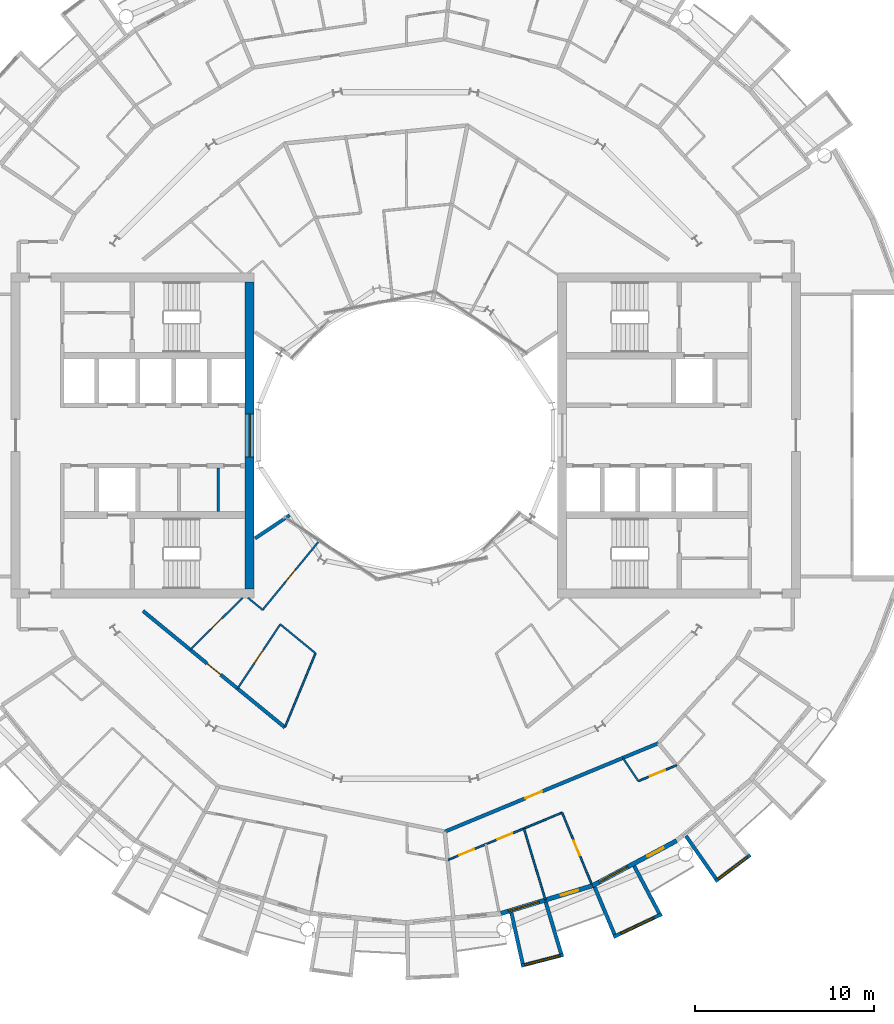
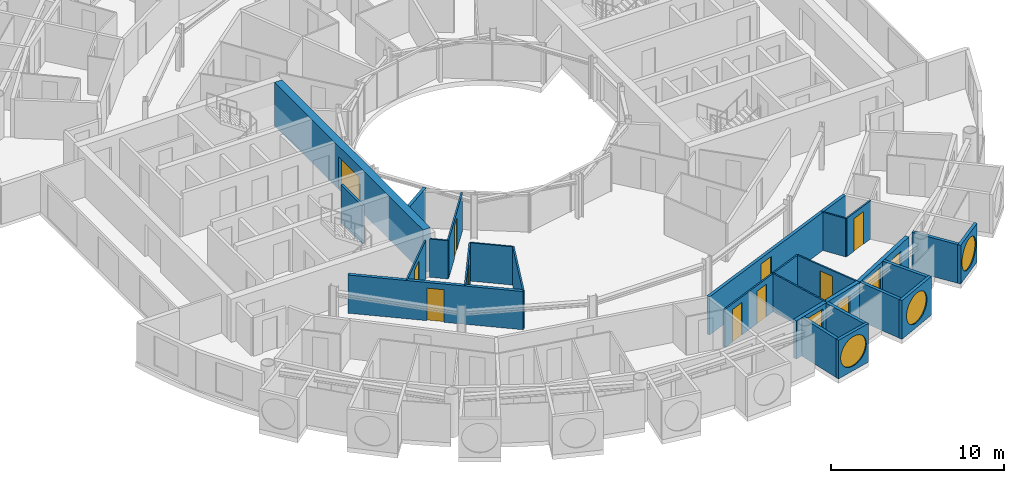
# One storey, part 16 of 27: 26 walls, 11 doors, 6 windows, 17 openings.
"""IFC4 building model written with IfcOpenShell, lengths in metres."""

from ifc_helpers import new_model, si_unit, direction, frame, frame_2d, origin, place, context, subcontext, project, spatial, rectangle, circle, extrude, material, layer, layer_set, type_object, element, fill, save


model = new_model("IFC4")

# Units and contexts
model_context = context("Model", 3, precision=1e-05, world=origin(), true_north=direction((0.0, 1.0)))
body_context = subcontext(model_context, "Body", "Model", "MODEL_VIEW")
ifc_project = project(units=[si_unit("LENGTHUNIT", "METRE"), si_unit("AREAUNIT", "SQUARE_METRE"), si_unit("VOLUMEUNIT", "CUBIC_METRE"), si_unit("PLANEANGLEUNIT", "RADIAN"), si_unit("MASSUNIT", "GRAM", prefix="KILO")], contexts=[model_context])

# Site, building, storey
site_placement = place(None, origin())
site = spatial("IfcSite", under=ifc_project, at=site_placement, CompositionType="ELEMENT")
building_placement = place(site_placement, origin())
building = spatial("IfcBuilding", under=site, at=building_placement, Name="Maasbend Ring Residences", CompositionType="ELEMENT")
storey_placement = place(building_placement, frame((0.0, 0.0, 145.199951171875)))
storey = spatial("IfcBuildingStorey", under=building, at=storey_placement, Name="L41", CompositionType="ELEMENT", Elevation=145.199951171875)

# Wall, opening, window
ifc_material_1 = material(Name="Concrete C60/75", Category="concrete")
ifc_layer_1 = layer(ifc_material_1, 0.5)
ifc_layer_set_1 = layer_set([ifc_layer_1], Name="Concrete C60/75")
wall_type_1 = type_object("IfcWallType", Name="CORE WALL 500 C60/75", PredefinedType="SHEAR", material=ifc_layer_set_1)
wall_1_placement = place(storey_placement, frame((-8.75, 8.60009765625, 0.0), z_axis=(0.0, 0.0, 1.0), x_axis=(0.0, -1.0, 0.0)))
wall_1 = element("IfcWall", 1, at=wall_1_placement, inside=storey, type_object=wall_type_1, Name="L41 core W wall PIN", PredefinedType="SHEAR", context=body_context, shape_type="SweptSolid", body=[
    extrude(rectangle(XDim=17.2001953125, YDim=0.5, at=frame_2d((8.60009765625, 0.0))), origin(), (0.0, 0.0, 1.0), 3.050048828125),
])
opening_1_placement = place(wall_1_placement, frame((7.39990234375, 0.0, 0.10009765625)))
opening_1 = element("IfcOpeningElement", 2, at=opening_1_placement, cuts=wall_1, Name="Opening W-W4101", PredefinedType="OPENING", context=body_context, shape_type="SweptSolid", body=[
    extrude(rectangle(XDim=2.39990234375, YDim=2.199951171875, at=frame_2d((1.199951171875, 1.10009765625))), frame((0.0, 0.260009765625, 0.0), z_axis=(0.0, -1.0, 0.0), x_axis=(1.0, 0.0, 0.0)), (0.0, 0.0, 1.0), 0.52001953125),
])
ifc_material_2 = material(Name="Aluminium frame and clear glass", Category="aluminium")
window_type_1 = type_object("IfcWindowType", Name="FIXED WINDOW 2400 X 2200", PartitioningType="SINGLE_PANEL", PredefinedType="WINDOW", material=ifc_material_2)
window_1_placement = place(opening_1_placement, origin())
window_1 = element("IfcWindow", 3, at=window_1_placement, inside=storey, type_object=window_type_1, Name="Lobby window L41", OverallHeight=2.199951171875, OverallWidth=2.39990234375, PartitioningType="SINGLE_PANEL", PredefinedType="WINDOW", context=body_context, shape_type="SweptSolid", body=[
    extrude(rectangle(XDim=2.39990234375, YDim=2.199951171875, at=frame_2d((1.199951171875, 1.10009765625))), frame((0.0, 0.030029296875, 0.0), z_axis=(0.0, -1.0, 0.0), x_axis=(1.0, 0.0, 0.0)), (0.0, 0.0, 1.0), 0.06005859375),
])
fill(opening_1, window_1)

# Wall, opening, door
ifc_material_3 = material(Name="Concrete C30/37", Category="concrete")
ifc_layer_2 = layer(ifc_material_3, 0.199951171875)
ifc_layer_set_2 = layer_set([ifc_layer_2], Name="Concrete C30/37")
wall_type_2 = type_object("IfcWallType", Name="CORRIDOR WALL 200 CONCRETE", PredefinedType="PARTITIONING", material=ifc_layer_set_2)
wall_2_placement = place(storey_placement, frame((2.18603515625, -22.193115234375, 0.0), z_axis=(0.0, 0.0, 1.0), x_axis=(0.923860535822, 0.382729291212, 0.0)))
wall_2 = element("IfcWall", 4, at=wall_2_placement, inside=storey, type_object=wall_type_2, Name="U-L41-w016", PredefinedType="PARTITIONING", context=body_context, shape_type="SweptSolid", body=[
    extrude(rectangle(XDim=12.94677734375, YDim=0.199951171875, at=frame_2d((6.473388671875, 0.0))), origin(), (0.0, 0.0, 1.0), 2.699951171875),
])
opening_2_placement = place(wall_2_placement, frame((4.89404296875, 0.0, 0.0)))
opening_2 = element("IfcOpeningElement", 5, at=opening_2_placement, cuts=wall_2, Name="Opening D-4143", PredefinedType="OPENING", context=body_context, shape_type="SweptSolid", body=[
    extrude(rectangle(XDim=1.0, YDim=2.300048828125, at=frame_2d((0.5, 1.14990234375))), frame((0.0, 0.10986328125, 0.0), z_axis=(0.0, -1.0, 0.0), x_axis=(1.0, 0.0, 0.0)), (0.0, 0.0, 1.0), 0.219970703125),
])
ifc_material_4 = material(Name="Timber, fire-rated, painted", Category="wood")
door_type_1 = type_object("IfcDoorType", Name="FLAT ENTRANCE DOOR 1000 X 2300 FIRE-RATED", OperationType="NOTDEFINED", PredefinedType="DOOR", material=ifc_material_4)
door_1_placement = place(opening_2_placement, origin())
door_1 = element("IfcDoor", 6, at=door_1_placement, inside=storey, type_object=door_type_1, Name="D-4143", OperationType="SINGLE_SWING_LEFT", OverallHeight=2.300048828125, OverallWidth=1.0, PredefinedType="DOOR", context=body_context, shape_type="SweptSolid", body=[
    extrude(rectangle(XDim=1.0, YDim=2.300048828125, at=frame_2d((0.5, 1.14990234375))), frame((0.0, 0.02490234375, 0.0), z_axis=(0.0, -1.0, 0.0), x_axis=(1.0, 0.0, 0.0)), (0.0, 0.0, 1.0), 0.050048828125),
])
fill(opening_2, door_1)

wall_3_placement = place(storey_placement, frame((-14.717041015625, -9.833984375, 0.0), z_axis=(0.0, 0.0, 1.0), x_axis=(0.773034536097, -0.634363938131, 0.0)))
wall_3 = element("IfcWall", 7, at=wall_3_placement, inside=storey, type_object=wall_type_2, Name="U-L41-w017", PredefinedType="PARTITIONING", context=body_context, shape_type="SweptSolid", body=[
    extrude(rectangle(XDim=10.276611328125, YDim=0.199951171875, at=frame_2d((5.13818359375, 0.0))), origin(), (0.0, 0.0, 1.0), 2.699951171875),
])
opening_3_placement = place(wall_3_placement, frame((4.637939453125, 0.0, 0.0)))
opening_3 = element("IfcOpeningElement", 8, at=opening_3_placement, cuts=wall_3, Name="Opening D-4151", PredefinedType="OPENING", context=body_context, shape_type="SweptSolid", body=[
    extrude(rectangle(XDim=1.0, YDim=2.300048828125, at=frame_2d((0.5, 1.14990234375))), frame((0.0, 0.10986328125, 0.0), z_axis=(0.0, -1.0, 0.0), x_axis=(1.0, 0.0, 0.0)), (0.0, 0.0, 1.0), 0.219970703125),
])
door_2_placement = place(opening_3_placement, origin())
door_2 = element("IfcDoor", 9, at=door_2_placement, inside=storey, type_object=door_type_1, Name="D-4151", OperationType="SINGLE_SWING_LEFT", OverallHeight=2.300048828125, OverallWidth=1.0, PredefinedType="DOOR", context=body_context, shape_type="SweptSolid", body=[
    extrude(rectangle(XDim=1.0, YDim=2.300048828125, at=frame_2d((0.5, 1.14990234375))), frame((0.0, 0.02490234375, 0.0), z_axis=(0.0, -1.0, 0.0), x_axis=(1.0, 0.0, 0.0)), (0.0, 0.0, 1.0), 0.050048828125),
])
fill(opening_3, door_2)

# Wall, opening, window
ifc_material_5 = material(Name="Pale anodised aluminium panel", Category="aluminium")
ifc_layer_3 = layer(ifc_material_5, 0.199951171875)
ifc_layer_set_3 = layer_set([ifc_layer_3], Name="EW-BOX")
wall_type_3 = type_object("IfcWallType", Name="EW-BOX", PredefinedType="SOLIDWALL", material=ifc_layer_set_3)
wall_4_placement = place(storey_placement, frame((6.4609375, -29.705078125, -0.030029296875), z_axis=(0.0, 0.0, 1.0), x_axis=(0.96789536872, 0.251353446784, 0.0)))
wall_4 = element("IfcWall", 10, at=wall_4_placement, inside=storey, type_object=wall_type_3, Name="Box front S13", PredefinedType="SOLIDWALL", context=body_context, shape_type="SweptSolid", body=[
    extrude(rectangle(XDim=2.44677734375, YDim=0.199951171875, at=frame_2d((1.223388671875, 0.0))), origin(), (0.0, 0.0, 1.0), 2.72998046875),
])
opening_4_placement = place(wall_4_placement, frame((0.182861328125, 0.0, 0.330078125)))
opening_4 = element("IfcOpeningElement", 11, at=opening_4_placement, cuts=wall_4, Name="Opening W-RD", PredefinedType="OPENING", context=body_context, shape_type="SweptSolid", body=[
    extrude(circle(Radius=1.0400390625, at=frame_2d((1.0400390625, 1.0400390625))), frame((0.0, 0.10986328125, 0.0), z_axis=(0.0, -1.0, 0.0), x_axis=(1.0, 0.0, 0.0)), (0.0, 0.0, 1.0), 0.219970703125),
])
ifc_material_6 = material(Name="Aluminium and clear glass", Category="aluminium")
window_type_2 = type_object("IfcWindowType", Name="W-RD", PartitioningType="SINGLE_PANEL", PredefinedType="WINDOW", material=ifc_material_6)
window_2_placement = place(opening_4_placement, origin())
window_2 = element("IfcWindow", 12, at=window_2_placement, inside=storey, type_object=window_type_2, Name="Round window S13", OverallHeight=2.080078125, OverallWidth=2.080078125, PartitioningType="SINGLE_PANEL", PredefinedType="WINDOW", context=body_context, shape_type="SweptSolid", body=[
    extrude(circle(Radius=1.0400390625, at=frame_2d((1.0400390625, 1.0400390625))), frame((0.0, 0.030029296875, 0.0), z_axis=(0.0, -1.0, 0.0), x_axis=(1.0, 0.0, 0.0)), (0.0, 0.0, 1.0), 0.06005859375),
])
fill(opening_4, window_2)

# Walls
wall_5_placement = place(storey_placement, frame((5.908935546875, -26.72900390625, -0.030029296875), z_axis=(0.0, 0.0, 1.0), x_axis=(0.216409053917, -0.976302781612, 0.0)))
element("IfcWall", 13, at=wall_5_placement, inside=storey, type_object=wall_type_3, Name="Box side wall S13 left", PredefinedType="SOLIDWALL", context=body_context, shape_type="SweptSolid", body=[
    extrude(rectangle(XDim=2.92529296875, YDim=0.199951171875, at=frame_2d((1.462646484375, 0.0))), origin(), (0.0, 0.0, 1.0), 2.72998046875),
])
wall_6_placement = place(storey_placement, frame((7.8369140625, -26.14404296875, -0.030029296875), z_axis=(0.0, 0.0, 1.0), x_axis=(0.287064767992, -0.957911174889, 0.0)))
element("IfcWall", 14, at=wall_6_placement, inside=storey, type_object=wall_type_3, Name="Box side wall S13 right", PredefinedType="SOLIDWALL", context=body_context, shape_type="SweptSolid", body=[
    extrude(rectangle(XDim=3.00634765625, YDim=0.199951171875, at=frame_2d((1.503173828125, 0.0))), origin(), (0.0, 0.0, 1.0), 2.72998046875),
])

# Wall, opening, window
wall_7_placement = place(storey_placement, frame((11.62890625, -28.087890625, -0.030029296875), z_axis=(0.0, 0.0, 1.0), x_axis=(0.904000060331, 0.427532327342, 0.0)))
wall_7 = element("IfcWall", 15, at=wall_7_placement, inside=storey, type_object=wall_type_3, Name="Box front S15", PredefinedType="SOLIDWALL", context=body_context, shape_type="SweptSolid", body=[
    extrude(rectangle(XDim=2.993408203125, YDim=0.199951171875, at=frame_2d((1.49658203125, 0.0))), origin(), (0.0, 0.0, 1.0), 2.72998046875),
])
opening_5_placement = place(wall_7_placement, frame((0.45654296875, 0.0, 0.330078125)))
opening_5 = element("IfcOpeningElement", 16, at=opening_5_placement, cuts=wall_7, Name="Opening W-RD", PredefinedType="OPENING", context=body_context, shape_type="SweptSolid", body=[
    extrude(circle(Radius=1.0400390625, at=frame_2d((1.0400390625, 1.0400390625))), frame((0.0, 0.10986328125, 0.0), z_axis=(0.0, -1.0, 0.0), x_axis=(1.0, 0.0, 0.0)), (0.0, 0.0, 1.0), 0.219970703125),
])
window_3_placement = place(opening_5_placement, origin())
window_3 = element("IfcWindow", 17, at=window_3_placement, inside=storey, type_object=window_type_2, Name="Round window S15", OverallHeight=2.080078125, OverallWidth=2.080078125, PartitioningType="SINGLE_PANEL", PredefinedType="WINDOW", context=body_context, shape_type="SweptSolid", body=[
    extrude(circle(Radius=1.0400390625, at=frame_2d((1.0400390625, 1.0400390625))), frame((0.0, 0.030029296875, 0.0), z_axis=(0.0, -1.0, 0.0), x_axis=(1.0, 0.0, 0.0)), (0.0, 0.0, 1.0), 0.06005859375),
])
fill(opening_5, window_3)

# Walls
wall_8_placement = place(storey_placement, frame((10.574951171875, -25.294921875, -0.030029296875), z_axis=(0.0, 0.0, 1.0), x_axis=(0.385697364644, -0.922625353492, 0.0)))
element("IfcWall", 18, at=wall_8_placement, inside=storey, type_object=wall_type_3, Name="Box side wall S15 left", PredefinedType="SOLIDWALL", context=body_context, shape_type="SweptSolid", body=[
    extrude(rectangle(XDim=2.88330078125, YDim=0.199951171875, at=frame_2d((1.441650390625, 0.0))), origin(), (0.0, 0.0, 1.0), 2.72998046875),
])
wall_9_placement = place(storey_placement, frame((12.787109375, -24.113037109375, -0.030029296875), z_axis=(0.0, 0.0, 1.0), x_axis=(0.468365282436, -0.883534924159, 0.0)))
element("IfcWall", 19, at=wall_9_placement, inside=storey, type_object=wall_type_3, Name="Box side wall S15 right", PredefinedType="SOLIDWALL", context=body_context, shape_type="SweptSolid", body=[
    extrude(rectangle(XDim=3.006103515625, YDim=0.199951171875, at=frame_2d((1.5029296875, 0.0))), origin(), (0.0, 0.0, 1.0), 2.72998046875),
])

# Wall, opening, window
wall_10_placement = place(storey_placement, frame((17.3369140625, -24.971923828125, -0.030029296875), z_axis=(0.0, 0.0, 1.0), x_axis=(0.797887588059, 0.602806268067, 0.0)))
wall_10 = element("IfcWall", 20, at=wall_10_placement, inside=storey, type_object=wall_type_3, Name="Box front S17", PredefinedType="SOLIDWALL", context=body_context, shape_type="SweptSolid", body=[
    extrude(rectangle(XDim=2.446533203125, YDim=0.199951171875, at=frame_2d((1.22314453125, 0.0))), origin(), (0.0, 0.0, 1.0), 2.72998046875),
])
opening_6_placement = place(wall_10_placement, frame((0.182861328125, 0.0, 0.330078125)))
opening_6 = element("IfcOpeningElement", 21, at=opening_6_placement, cuts=wall_10, Name="Opening W-RD", PredefinedType="OPENING", context=body_context, shape_type="SweptSolid", body=[
    extrude(circle(Radius=1.0400390625, at=frame_2d((1.0400390625, 1.0400390625))), frame((0.0, 0.10986328125, 0.0), z_axis=(0.0, -1.0, 0.0), x_axis=(1.0, 0.0, 0.0)), (0.0, 0.0, 1.0), 0.219970703125),
])
window_4_placement = place(opening_6_placement, origin())
window_4 = element("IfcWindow", 22, at=window_4_placement, inside=storey, type_object=window_type_2, Name="Round window S17", OverallHeight=2.080078125, OverallWidth=2.080078125, PartitioningType="SINGLE_PANEL", PredefinedType="WINDOW", context=body_context, shape_type="SweptSolid", body=[
    extrude(circle(Radius=1.0400390625, at=frame_2d((1.0400390625, 1.0400390625))), frame((0.0, 0.030029296875, 0.0), z_axis=(0.0, -1.0, 0.0), x_axis=(1.0, 0.0, 0.0)), (0.0, 0.0, 1.0), 0.06005859375),
])
fill(opening_6, window_4)

# Wall
wall_11_placement = place(storey_placement, frame((15.68798828125, -22.43310546875, -0.030029296875), z_axis=(0.0, 0.0, 1.0), x_axis=(0.573260687834, -0.819373043115, 0.0)))
element("IfcWall", 23, at=wall_11_placement, inside=storey, type_object=wall_type_3, Name="Box side wall S17 left", PredefinedType="SOLIDWALL", context=body_context, shape_type="SweptSolid", body=[
    extrude(rectangle(XDim=2.92529296875, YDim=0.199951171875, at=frame_2d((1.462646484375, 0.0))), origin(), (0.0, 0.0, 1.0), 2.72998046875),
])

# Wall, openings, door, window
ifc_material_7 = material(Name="Aluminium clad insulated panel", Category="aluminium")
ifc_layer_4 = layer(ifc_material_7, 0.25)
ifc_layer_set_4 = layer_set([ifc_layer_4], Name="EW-GL")
wall_type_4 = type_object("IfcWallType", Name="EW-GL", PredefinedType="SOLIDWALL", material=ifc_layer_set_4)
wall_12_placement = place(storey_placement, frame((5.325927734375, -26.77490234375, 0.0), z_axis=(0.0, 0.0, 1.0), x_axis=(0.956965678721, 0.290201119486, 0.0)))
wall_12 = element("IfcWall", 24, at=wall_12_placement, inside=storey, type_object=wall_type_4, Name="External wall S07", PredefinedType="SOLIDWALL", context=body_context, shape_type="SweptSolid", body=[
    extrude(rectangle(XDim=5.351318359375, YDim=0.25, at=frame_2d((2.67578125, 0.0))), origin(), (0.0, 0.0, 1.0), 2.699951171875),
])
opening_7_placement = place(wall_12_placement, frame((0.441162109375, 0.0, 0.300048828125)))
opening_7 = element("IfcOpeningElement", 25, at=opening_7_placement, cuts=wall_12, Name="Opening W-BX", PredefinedType="OPENING", context=body_context, shape_type="SweptSolid", body=[
    extrude(rectangle(XDim=1.800048828125, YDim=2.10009765625, at=frame_2d((0.89990234375, 1.050048828125))), frame((0.0, 0.135009765625, 0.0), z_axis=(0.0, -1.0, 0.0), x_axis=(1.0, 0.0, 0.0)), (0.0, 0.0, 1.0), 0.27001953125),
])
opening_8_placement = place(wall_12_placement, frame((3.510498046875, 0.0, 0.0)))
opening_8 = element("IfcOpeningElement", 26, at=opening_8_placement, cuts=wall_12, Name="Opening D-LG", PredefinedType="OPENING", context=body_context, shape_type="SweptSolid", body=[
    extrude(rectangle(XDim=1.0, YDim=2.199951171875, at=frame_2d((0.5, 1.10009765625))), frame((0.0, 0.135009765625, 0.0), z_axis=(0.0, -1.0, 0.0), x_axis=(1.0, 0.0, 0.0)), (0.0, 0.0, 1.0), 0.27001953125),
])
ifc_material_8 = material(Name="Aluminium and clear glass", Category="aluminium")
door_type_2 = type_object("IfcDoorType", Name="D-LG", OperationType="SINGLE_SWING_LEFT", PredefinedType="DOOR", material=ifc_material_8)
door_3_placement = place(opening_8_placement, origin())
door_3 = element("IfcDoor", 27, at=door_3_placement, inside=storey, type_object=door_type_2, Name="Loggia door S14", OperationType="SINGLE_SWING_LEFT", OverallHeight=2.199951171875, OverallWidth=1.0, PredefinedType="DOOR", context=body_context, shape_type="SweptSolid", body=[
    extrude(rectangle(XDim=1.0, YDim=2.199951171875, at=frame_2d((0.5, 1.10009765625))), frame((0.0, 0.02490234375, 0.0), z_axis=(0.0, -1.0, 0.0), x_axis=(1.0, 0.0, 0.0)), (0.0, 0.0, 1.0), 0.050048828125),
])
fill(opening_8, door_3)
ifc_material_9 = material(Name="Aluminium and clear glass", Category="aluminium")
window_type_3 = type_object("IfcWindowType", Name="W-BX", PartitioningType="DOUBLE_PANEL_VERTICAL", PredefinedType="WINDOW", material=ifc_material_9)
window_5_placement = place(opening_7_placement, origin())
window_5 = element("IfcWindow", 28, at=window_5_placement, inside=storey, type_object=window_type_3, Name="Window S13 room to box", OverallHeight=2.10009765625, OverallWidth=1.800048828125, PartitioningType="SINGLE_PANEL", PredefinedType="WINDOW", context=body_context, shape_type="SweptSolid", body=[
    extrude(rectangle(XDim=1.800048828125, YDim=2.10009765625, at=frame_2d((0.89990234375, 1.050048828125))), frame((0.0, 0.030029296875, 0.0), z_axis=(0.0, -1.0, 0.0), x_axis=(1.0, 0.0, 0.0)), (0.0, 0.0, 1.0), 0.06005859375),
])
fill(opening_7, window_5)

wall_13_placement = place(storey_placement, frame((10.447021484375, -25.221923828125, 0.0), z_axis=(0.0, 0.0, 1.0), x_axis=(0.881915646801, 0.471407246368, 0.0)))
wall_13 = element("IfcWall", 29, at=wall_13_placement, inside=storey, type_object=wall_type_4, Name="External wall S08", PredefinedType="SOLIDWALL", context=body_context, shape_type="SweptSolid", body=[
    extrude(rectangle(XDim=5.35205078125, YDim=0.25, at=frame_2d((2.676025390625, 0.0))), origin(), (0.0, 0.0, 1.0), 2.699951171875),
])
opening_9_placement = place(wall_13_placement, frame((0.441162109375, 0.0, 0.300048828125)))
opening_9 = element("IfcOpeningElement", 30, at=opening_9_placement, cuts=wall_13, Name="Opening W-BX", PredefinedType="OPENING", context=body_context, shape_type="SweptSolid", body=[
    extrude(rectangle(XDim=1.800048828125, YDim=2.10009765625, at=frame_2d((0.89990234375, 1.050048828125))), frame((0.0, 0.135009765625, 0.0), z_axis=(0.0, -1.0, 0.0), x_axis=(1.0, 0.0, 0.0)), (0.0, 0.0, 1.0), 0.27001953125),
])
opening_10_placement = place(wall_13_placement, frame((3.510498046875, 0.0, 0.0)))
opening_10 = element("IfcOpeningElement", 31, at=opening_10_placement, cuts=wall_13, Name="Opening D-LG", PredefinedType="OPENING", context=body_context, shape_type="SweptSolid", body=[
    extrude(rectangle(XDim=1.0, YDim=2.199951171875, at=frame_2d((0.5, 1.10009765625))), frame((0.0, 0.135009765625, 0.0), z_axis=(0.0, -1.0, 0.0), x_axis=(1.0, 0.0, 0.0)), (0.0, 0.0, 1.0), 0.27001953125),
])
door_4_placement = place(opening_10_placement, origin())
door_4 = element("IfcDoor", 32, at=door_4_placement, inside=storey, type_object=door_type_2, Name="Loggia door S16", OperationType="SINGLE_SWING_LEFT", OverallHeight=2.199951171875, OverallWidth=1.0, PredefinedType="DOOR", context=body_context, shape_type="SweptSolid", body=[
    extrude(rectangle(XDim=1.0, YDim=2.199951171875, at=frame_2d((0.5, 1.10009765625))), frame((0.0, 0.02490234375, 0.0), z_axis=(0.0, -1.0, 0.0), x_axis=(1.0, 0.0, 0.0)), (0.0, 0.0, 1.0), 0.050048828125),
])
fill(opening_10, door_4)
window_6_placement = place(opening_9_placement, origin())
window_6 = element("IfcWindow", 33, at=window_6_placement, inside=storey, type_object=window_type_3, Name="Window S15 room to box", OverallHeight=2.10009765625, OverallWidth=1.800048828125, PartitioningType="SINGLE_PANEL", PredefinedType="WINDOW", context=body_context, shape_type="SweptSolid", body=[
    extrude(rectangle(XDim=1.800048828125, YDim=2.10009765625, at=frame_2d((0.89990234375, 1.050048828125))), frame((0.0, 0.030029296875, 0.0), z_axis=(0.0, -1.0, 0.0), x_axis=(1.0, 0.0, 0.0)), (0.0, 0.0, 1.0), 0.06005859375),
])
fill(opening_9, window_6)

# Wall, openings, doors
ifc_material_10 = material(Name="Gypsum board on steel studs", Category="steel")
ifc_layer_5 = layer(ifc_material_10, 0.10009765625)
ifc_layer_set_5 = layer_set([ifc_layer_5], Name="PARTITION 100 GYPSUM")
wall_type_5 = type_object("IfcWallType", Name="PARTITION 100 GYPSUM", PredefinedType="PARTITIONING", material=ifc_layer_set_5)
wall_14_placement = place(storey_placement, frame((2.342041015625, -23.784912109375, 0.0), z_axis=(0.0, 0.0, 1.0), x_axis=(0.92388173557, 0.382678113667, 0.0)))
wall_14 = element("IfcWall", 34, at=wall_14_placement, inside=storey, type_object=wall_type_5, Name="U-L41-w007", PredefinedType="PARTITIONING", context=body_context, shape_type="SweptSolid", body=[
    extrude(rectangle(XDim=6.93798828125, YDim=0.10009765625, at=frame_2d((3.468994140625, 0.0))), origin(), (0.0, 0.0, 1.0), 2.699951171875),
])
opening_11_placement = place(wall_14_placement, frame((3.02099609375, 0.0, 0.0)))
opening_11 = element("IfcOpeningElement", 35, at=opening_11_placement, cuts=wall_14, Name="Opening D-4146", PredefinedType="OPENING", context=body_context, shape_type="SweptSolid", body=[
    extrude(rectangle(XDim=0.89990234375, YDim=2.300048828125, at=frame_2d((0.449951171875, 1.14990234375))), frame((0.0, 0.06005859375, 0.0), z_axis=(0.0, -1.0, 0.0), x_axis=(1.0, 0.0, 0.0)), (0.0, 0.0, 1.0), 0.1201171875),
])
opening_12_placement = place(wall_14_placement, frame((0.70703125, 0.0, 0.0)))
opening_12 = element("IfcOpeningElement", 36, at=opening_12_placement, cuts=wall_14, Name="Opening D-4147", PredefinedType="OPENING", context=body_context, shape_type="SweptSolid", body=[
    extrude(rectangle(XDim=0.89990234375, YDim=2.300048828125, at=frame_2d((0.449951171875, 1.14990234375))), frame((0.0, 0.06005859375, 0.0), z_axis=(0.0, -1.0, 0.0), x_axis=(1.0, 0.0, 0.0)), (0.0, 0.0, 1.0), 0.1201171875),
])
ifc_material_11 = material(Name="Timber, painted", Category="wood")
door_type_3 = type_object("IfcDoorType", Name="INTERNAL DOOR 900 X 2300", OperationType="NOTDEFINED", PredefinedType="DOOR", material=ifc_material_11)
door_5_placement = place(opening_11_placement, origin())
door_5 = element("IfcDoor", 37, at=door_5_placement, inside=storey, type_object=door_type_3, Name="D-4146", OperationType="SINGLE_SWING_RIGHT", OverallHeight=2.300048828125, OverallWidth=0.89990234375, PredefinedType="DOOR", context=body_context, shape_type="SweptSolid", body=[
    extrude(rectangle(XDim=0.89990234375, YDim=2.300048828125, at=frame_2d((0.449951171875, 1.14990234375))), frame((0.0, 0.02490234375, 0.0), z_axis=(0.0, -1.0, 0.0), x_axis=(1.0, 0.0, 0.0)), (0.0, 0.0, 1.0), 0.050048828125),
])
fill(opening_11, door_5)
door_6_placement = place(opening_12_placement, origin())
door_6 = element("IfcDoor", 38, at=door_6_placement, inside=storey, type_object=door_type_3, Name="D-4147", OperationType="SINGLE_SWING_LEFT", OverallHeight=2.300048828125, OverallWidth=0.89990234375, PredefinedType="DOOR", context=body_context, shape_type="SweptSolid", body=[
    extrude(rectangle(XDim=0.89990234375, YDim=2.300048828125, at=frame_2d((0.449951171875, 1.14990234375))), frame((0.0, 0.02490234375, 0.0), z_axis=(0.0, -1.0, 0.0), x_axis=(1.0, 0.0, 0.0)), (0.0, 0.0, 1.0), 0.050048828125),
])
fill(opening_12, door_6)

# Wall, opening, door
wall_15_placement = place(storey_placement, frame((13.028076171875, -19.35888671875, 0.0), z_axis=(0.0, 0.0, 1.0), x_axis=(0.92369108554, 0.383138067142, 0.0)))
wall_15 = element("IfcWall", 39, at=wall_15_placement, inside=storey, type_object=wall_type_5, Name="U-L41-w008", PredefinedType="PARTITIONING", context=body_context, shape_type="SweptSolid", body=[
    extrude(rectangle(XDim=2.3125, YDim=0.10009765625, at=frame_2d((1.15625, 0.0))), origin(), (0.0, 0.0, 1.0), 2.699951171875),
])
opening_13_placement = place(wall_15_placement, frame((0.702880859375, 0.0, 0.0)))
opening_13 = element("IfcOpeningElement", 40, at=opening_13_placement, cuts=wall_15, Name="Opening D-4144", PredefinedType="OPENING", context=body_context, shape_type="SweptSolid", body=[
    extrude(rectangle(XDim=0.89990234375, YDim=2.300048828125, at=frame_2d((0.449951171875, 1.14990234375))), frame((0.0, 0.06005859375, 0.0), z_axis=(0.0, -1.0, 0.0), x_axis=(1.0, 0.0, 0.0)), (0.0, 0.0, 1.0), 0.1201171875),
])
door_7_placement = place(opening_13_placement, origin())
door_7 = element("IfcDoor", 41, at=door_7_placement, inside=storey, type_object=door_type_3, Name="D-4144", OperationType="SINGLE_SWING_LEFT", OverallHeight=2.300048828125, OverallWidth=0.89990234375, PredefinedType="DOOR", context=body_context, shape_type="SweptSolid", body=[
    extrude(rectangle(XDim=0.89990234375, YDim=2.300048828125, at=frame_2d((0.449951171875, 1.14990234375))), frame((0.0, 0.02490234375, 0.0), z_axis=(0.0, -1.0, 0.0), x_axis=(1.0, 0.0, 0.0)), (0.0, 0.0, 1.0), 0.050048828125),
])
fill(opening_13, door_7)

# Walls
wall_16_placement = place(storey_placement, frame((-8.839111328125, -9.097900390625, 0.0), z_axis=(0.0, 0.0, 1.0), x_axis=(0.7731800648, -0.634186555673, 0.0)))
element("IfcWall", 42, at=wall_16_placement, inside=storey, type_object=wall_type_5, Name="U-L41-w019", PredefinedType="PARTITIONING", context=body_context, shape_type="SweptSolid", body=[
    extrude(rectangle(XDim=1.064453125, YDim=0.10009765625, at=frame_2d((0.5322265625, 0.0))), origin(), (0.0, 0.0, 1.0), 2.699951171875),
])
wall_17_placement = place(storey_placement, frame((-7.031005859375, -10.58203125, 0.0), z_axis=(0.0, 0.0, 1.0), x_axis=(0.772943675046, -0.634474645046, 0.0)))
element("IfcWall", 43, at=wall_17_placement, inside=storey, type_object=wall_type_5, Name="U-L41-w020", PredefinedType="PARTITIONING", context=body_context, shape_type="SweptSolid", body=[
    extrude(rectangle(XDim=2.556640625, YDim=0.10009765625, at=frame_2d((1.2783203125, 0.0))), origin(), (0.0, 0.0, 1.0), 2.699951171875),
])

# Wall, opening, door
wall_18_placement = place(storey_placement, frame((-12.069091796875, -12.007080078125, 0.0), z_axis=(0.0, 0.0, 1.0), x_axis=(0.708822693149, 0.705386695138, 0.0)))
wall_18 = element("IfcWall", 44, at=wall_18_placement, inside=storey, type_object=wall_type_5, Name="U-L41-w042", PredefinedType="PARTITIONING", context=body_context, shape_type="SweptSolid", body=[
    extrude(rectangle(XDim=4.12109375, YDim=0.10009765625, at=frame_2d((2.060546875, 0.0))), origin(), (0.0, 0.0, 1.0), 2.699951171875),
])
opening_14_placement = place(wall_18_placement, frame((1.611083984375, 0.0, 0.0)))
opening_14 = element("IfcOpeningElement", 45, at=opening_14_placement, cuts=wall_18, Name="Opening D-4153", PredefinedType="OPENING", context=body_context, shape_type="SweptSolid", body=[
    extrude(rectangle(XDim=0.89990234375, YDim=2.300048828125, at=frame_2d((0.449951171875, 1.14990234375))), frame((0.0, 0.06005859375, 0.0), z_axis=(0.0, -1.0, 0.0), x_axis=(1.0, 0.0, 0.0)), (0.0, 0.0, 1.0), 0.1201171875),
])
door_8_placement = place(opening_14_placement, origin())
door_8 = element("IfcDoor", 46, at=door_8_placement, inside=storey, type_object=door_type_3, Name="D-4153", OperationType="SINGLE_SWING_RIGHT", OverallHeight=2.300048828125, OverallWidth=0.89990234375, PredefinedType="DOOR", context=body_context, shape_type="SweptSolid", body=[
    extrude(rectangle(XDim=0.89990234375, YDim=2.300048828125, at=frame_2d((0.449951171875, 1.14990234375))), frame((0.0, 0.02490234375, 0.0), z_axis=(0.0, -1.0, 0.0), x_axis=(1.0, 0.0, 0.0)), (0.0, 0.0, 1.0), 0.050048828125),
])
fill(opening_14, door_8)

wall_19_placement = place(storey_placement, frame((-9.4208984375, -14.179931640625, 0.0), z_axis=(0.0, 0.0, 1.0), x_axis=(0.553303732327, 0.832979579457, 0.0)))
wall_19 = element("IfcWall", 47, at=wall_19_placement, inside=storey, type_object=wall_type_5, Name="U-L41-w046", PredefinedType="PARTITIONING", context=body_context, shape_type="SweptSolid", body=[
    extrude(rectangle(XDim=4.3193359375, YDim=0.10009765625, at=frame_2d((2.15966796875, 0.0))), origin(), (0.0, 0.0, 1.0), 2.699951171875),
])
opening_15_placement = place(wall_19_placement, frame((1.7099609375, 0.0, 0.0)))
opening_15 = element("IfcOpeningElement", 48, at=opening_15_placement, cuts=wall_19, Name="Opening D-4152", PredefinedType="OPENING", context=body_context, shape_type="SweptSolid", body=[
    extrude(rectangle(XDim=0.89990234375, YDim=2.300048828125, at=frame_2d((0.449951171875, 1.14990234375))), frame((0.0, 0.06005859375, 0.0), z_axis=(0.0, -1.0, 0.0), x_axis=(1.0, 0.0, 0.0)), (0.0, 0.0, 1.0), 0.1201171875),
])
door_9_placement = place(opening_15_placement, origin())
door_9 = element("IfcDoor", 49, at=door_9_placement, inside=storey, type_object=door_type_3, Name="D-4152", OperationType="SINGLE_SWING_RIGHT", OverallHeight=2.300048828125, OverallWidth=0.89990234375, PredefinedType="DOOR", context=body_context, shape_type="SweptSolid", body=[
    extrude(rectangle(XDim=0.89990234375, YDim=2.300048828125, at=frame_2d((0.449951171875, 1.14990234375))), frame((0.0, 0.02490234375, 0.0), z_axis=(0.0, -1.0, 0.0), x_axis=(1.0, 0.0, 0.0)), (0.0, 0.0, 1.0), 0.050048828125),
])
fill(opening_15, door_9)

wall_20_placement = place(storey_placement, frame((-8.01904296875, -9.77099609375, 0.0), z_axis=(0.0, 0.0, 1.0), x_axis=(0.634401778971, 0.773003481776, 0.0)))
wall_20 = element("IfcWall", 50, at=wall_20_placement, inside=storey, type_object=wall_type_5, Name="U-L41-w048", PredefinedType="PARTITIONING", context=body_context, shape_type="SweptSolid", body=[
    extrude(rectangle(XDim=4.919677734375, YDim=0.10009765625, at=frame_2d((2.4599609375, 0.0))), origin(), (0.0, 0.0, 1.0), 2.699951171875),
])
opening_16_placement = place(wall_20_placement, frame((2.010009765625, 0.0, 0.0)))
opening_16 = element("IfcOpeningElement", 51, at=opening_16_placement, cuts=wall_20, Name="Opening D-4154", PredefinedType="OPENING", context=body_context, shape_type="SweptSolid", body=[
    extrude(rectangle(XDim=0.89990234375, YDim=2.300048828125, at=frame_2d((0.449951171875, 1.14990234375))), frame((0.0, 0.06005859375, 0.0), z_axis=(0.0, -1.0, 0.0), x_axis=(1.0, 0.0, 0.0)), (0.0, 0.0, 1.0), 0.1201171875),
])
door_10_placement = place(opening_16_placement, origin())
door_10 = element("IfcDoor", 52, at=door_10_placement, inside=storey, type_object=door_type_3, Name="D-4154", OperationType="SINGLE_SWING_LEFT", OverallHeight=2.300048828125, OverallWidth=0.89990234375, PredefinedType="DOOR", context=body_context, shape_type="SweptSolid", body=[
    extrude(rectangle(XDim=0.89990234375, YDim=2.300048828125, at=frame_2d((0.449951171875, 1.14990234375))), frame((0.0, 0.02490234375, 0.0), z_axis=(0.0, -1.0, 0.0), x_axis=(1.0, 0.0, 0.0)), (0.0, 0.0, 1.0), 0.050048828125),
])
fill(opening_16, door_10)

# Wall
wall_21_placement = place(storey_placement, frame((6.615966796875, -22.014892578125, 0.0), z_axis=(0.0, 0.0, 1.0), x_axis=(0.287802539521, -0.957689771401, 0.0)))
element("IfcWall", 53, at=wall_21_placement, inside=storey, type_object=wall_type_5, Name="U-L41-w066", PredefinedType="PARTITIONING", context=body_context, shape_type="SweptSolid", body=[
    extrude(rectangle(XDim=4.187255859375, YDim=0.10009765625, at=frame_2d((2.09375, 0.0))), origin(), (0.0, 0.0, 1.0), 2.699951171875),
])

# Wall, opening, door
wall_22_placement = place(storey_placement, frame((8.751953125, -21.1298828125, 0.0), z_axis=(0.0, 0.0, 1.0), x_axis=(0.382689142274, -0.923877167369, 0.0)))
wall_22 = element("IfcWall", 54, at=wall_22_placement, inside=storey, type_object=wall_type_5, Name="U-L41-w071", PredefinedType="PARTITIONING", context=body_context, shape_type="SweptSolid", body=[
    extrude(rectangle(XDim=4.3037109375, YDim=0.10009765625, at=frame_2d((2.15185546875, 0.0))), origin(), (0.0, 0.0, 1.0), 2.699951171875),
])
opening_17_placement = place(wall_22_placement, frame((1.701904296875, 0.0, 0.0)))
opening_17 = element("IfcOpeningElement", 55, at=opening_17_placement, cuts=wall_22, Name="Opening D-4145", PredefinedType="OPENING", context=body_context, shape_type="SweptSolid", body=[
    extrude(rectangle(XDim=0.89990234375, YDim=2.300048828125, at=frame_2d((0.449951171875, 1.14990234375))), frame((0.0, 0.06005859375, 0.0), z_axis=(0.0, -1.0, 0.0), x_axis=(1.0, 0.0, 0.0)), (0.0, 0.0, 1.0), 0.1201171875),
])
door_11_placement = place(opening_17_placement, origin())
door_11 = element("IfcDoor", 56, at=door_11_placement, inside=storey, type_object=door_type_3, Name="D-4145", OperationType="SINGLE_SWING_RIGHT", OverallHeight=2.300048828125, OverallWidth=0.89990234375, PredefinedType="DOOR", context=body_context, shape_type="SweptSolid", body=[
    extrude(rectangle(XDim=0.89990234375, YDim=2.300048828125, at=frame_2d((0.449951171875, 1.14990234375))), frame((0.0, 0.02490234375, 0.0), z_axis=(0.0, -1.0, 0.0), x_axis=(1.0, 0.0, 0.0)), (0.0, 0.0, 1.0), 0.050048828125),
])
fill(opening_17, door_11)

# Walls
wall_23_placement = place(storey_placement, frame((12.153076171875, -18.06396484375, 0.0), z_axis=(0.0, 0.0, 1.0), x_axis=(0.558121913892, -0.829758958514, 0.0)))
element("IfcWall", 57, at=wall_23_placement, inside=storey, type_object=wall_type_5, Name="U-L41-w073", PredefinedType="PARTITIONING", context=body_context, shape_type="SweptSolid", body=[
    extrude(rectangle(XDim=1.56201171875, YDim=0.10009765625, at=frame_2d((0.781005859375, 0.0))), origin(), (0.0, 0.0, 1.0), 2.699951171875),
])
wall_24_placement = place(storey_placement, frame((-5.06298828125, -12.222900390625, 0.0), z_axis=(0.0, 0.0, 1.0), x_axis=(-0.382498794932, -0.923955990226, 0.0)))
element("IfcWall", 58, at=wall_24_placement, inside=storey, type_object=wall_type_5, Name="U-L41-w119", PredefinedType="PARTITIONING", context=body_context, shape_type="SweptSolid", body=[
    extrude(rectangle(XDim=4.449462890625, YDim=0.10009765625, at=frame_2d((2.224609375, 0.0))), origin(), (0.0, 0.0, 1.0), 2.699951171875),
])
ifc_material_12 = material(Name="Gypsum board on steel studs", Category="steel")
ifc_layer_6 = layer(ifc_material_12, 0.14990234375)
ifc_layer_set_6 = layer_set([ifc_layer_6], Name="PARTITION 150 EI 60")
wall_type_6 = type_object("IfcWallType", Name="PARTITION 150 EI 60", PredefinedType="PARTITIONING", material=ifc_layer_set_6)
wall_25_placement = place(storey_placement, frame((-10.5, -1.824951171875, 0.0), z_axis=(0.0, 0.0, 1.0), x_axis=(0.0, -1.0, 0.0)))
element("IfcWall", 59, at=wall_25_placement, inside=storey, type_object=wall_type_6, Name="L41 core W wall PRN1050", PredefinedType="PARTITIONING", context=body_context, shape_type="SweptSolid", body=[
    extrude(rectangle(XDim=2.449951171875, YDim=0.14990234375, at=frame_2d((1.22509765625, 0.0))), origin(), (0.0, 0.0, 1.0), 2.699951171875),
])
ifc_material_13 = material(Name="Concrete C30/37", Category="concrete")
ifc_layer_7 = layer(ifc_material_13, 0.199951171875)
ifc_layer_set_7 = layer_set([ifc_layer_7], Name="Concrete C30/37")
wall_type_7 = type_object("IfcWallType", Name="PARTY WALL 200 CONCRETE", PredefinedType="PARTITIONING", material=ifc_layer_set_7)
wall_26_placement = place(storey_placement, frame((-6.512939453125, -4.471923828125, 0.0), z_axis=(0.0, 0.0, 1.0), x_axis=(-0.83133816625, -0.555766905579, 0.0)))
element("IfcWall", 60, at=wall_26_placement, inside=storey, type_object=wall_type_7, Name="U-L41-w025", PredefinedType="PARTITIONING", context=body_context, shape_type="SweptSolid", body=[
    extrude(rectangle(XDim=2.322998046875, YDim=0.199951171875, at=frame_2d((1.16162109375, 0.0))), origin(), (0.0, 0.0, 1.0), 2.699951171875),
])

save(model, "model.ifc")
